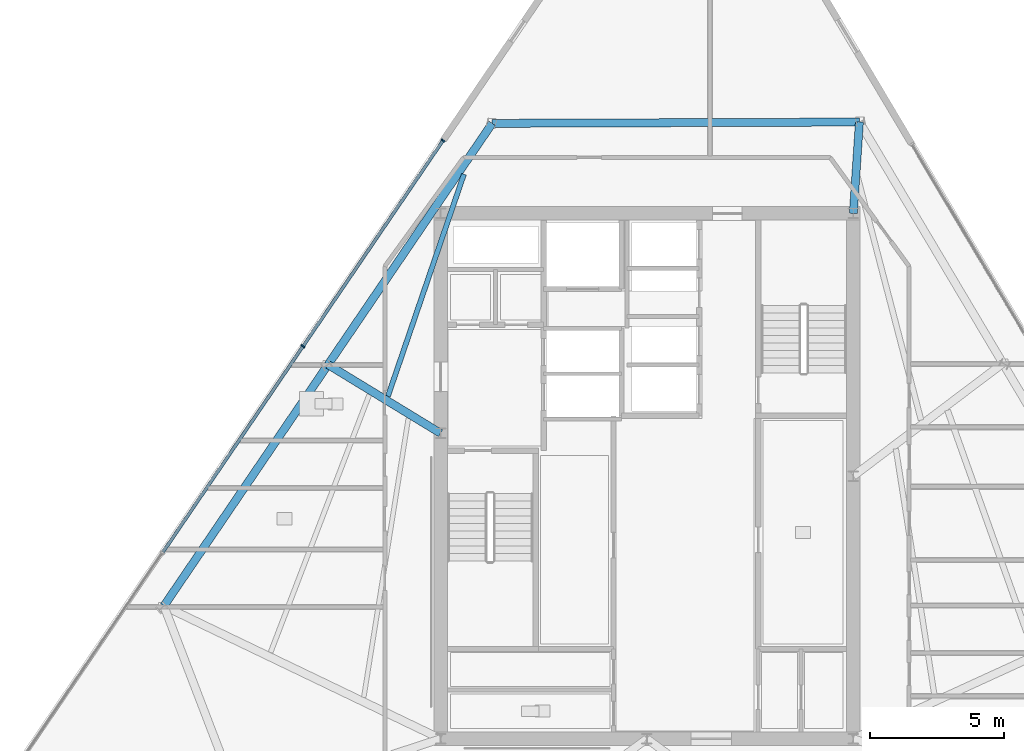
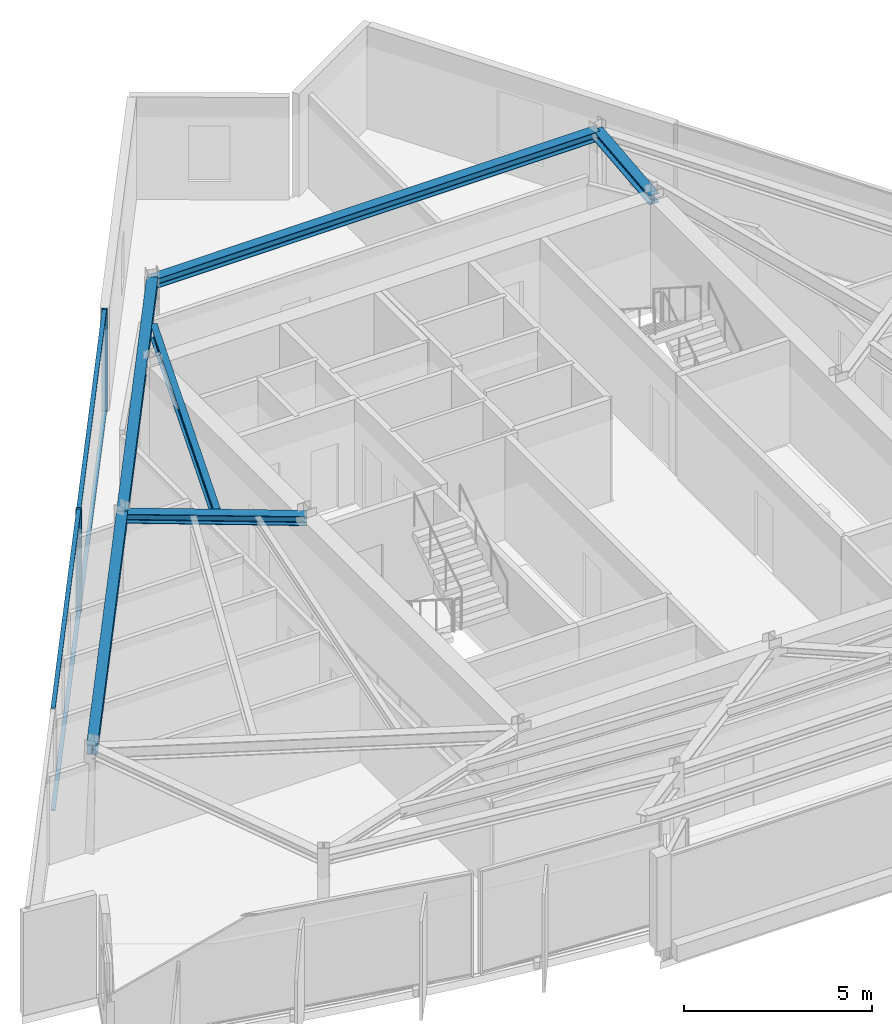
# One storey, part 4 of 13: 6 beams, 6 members, 1 element without a shape of its own.
"""IFC4 building model written with IfcOpenShell, lengths in metres."""

from ifc_helpers import new_model, si_unit, direction, frame, origin, origin_2d, place, context, subcontext, project, spatial, rectangle, i_section, extrude, material, material_profile, profile_set, type_object, element, aggregate, save


model = new_model("IFC4")

# Units and contexts
model_context = context("Model", 3, precision=1e-05, world=origin(), true_north=direction((0.0, 1.0)))
body_context = subcontext(model_context, "Body", "Model", "MODEL_VIEW")
ifc_project = project(units=[si_unit("LENGTHUNIT", "METRE"), si_unit("AREAUNIT", "SQUARE_METRE"), si_unit("VOLUMEUNIT", "CUBIC_METRE"), si_unit("PLANEANGLEUNIT", "RADIAN"), si_unit("MASSUNIT", "GRAM", prefix="KILO")], contexts=[model_context])

# Site, building, storey
site_placement = place(None, origin())
site = spatial("IfcSite", under=ifc_project, at=site_placement, CompositionType="ELEMENT")
building_placement = place(site_placement, origin())
building = spatial("IfcBuilding", under=site, at=building_placement, Name="Savorim Split Tower", CompositionType="ELEMENT")
storey_placement = place(building_placement, frame((0.0, 0.0, 283.199951171875)))
storey = spatial("IfcBuildingStorey", under=building, at=storey_placement, Name="L75", CompositionType="ELEMENT", Elevation=283.199951171875)

# Beams
ifc_material_1 = material(Name="Steel S355", Category="steel")
ifc_material_profile_1 = material_profile(ifc_material_1, i_section(OverallWidth=0.18994140625, OverallDepth=0.449951171875, WebThickness=0.009521484375, FlangeThickness=0.0146484375, FilletRadius=0.02099609375, at=origin_2d()), Name="IPE 450")
ifc_profile_set_1 = profile_set([ifc_material_profile_1], Name="Steel S355")
beam_type_1 = type_object("IfcBeamType", Name="BM-JST-IPE450", PredefinedType="JOIST", material=ifc_profile_set_1)
beam_1_placement = place(storey_placement, frame((-6.826904296875, 11.66162109375, 3.125), z_axis=(-0.323972801328, -0.946066395133, 0.0), x_axis=(0.946066395133, -0.323972801328, 0.0)))
element("IfcBeam", 1, at=beam_1_placement, inside=storey, type_object=beam_type_1, Name="L75 Secondary Floor Joist JS-09", PredefinedType="JOIST", context=body_context, shape_type="SweptSolid", body=[
    extrude(i_section(OverallWidth=0.18994140625, OverallDepth=0.449951171875, WebThickness=0.009521484375, FlangeThickness=0.0146484375, FilletRadius=0.02099609375, at=origin_2d()), origin(), (0.0, 0.0, 1.0), 8.75439453125),
])
ifc_material_profile_2 = material_profile(ifc_material_1, i_section(OverallWidth=0.300048828125, OverallDepth=0.300048828125, WebThickness=0.010986328125, FlangeThickness=0.01904296875, FilletRadius=0.027099609375, at=origin_2d()), Name="HEB 300")
ifc_profile_set_2 = profile_set([ifc_material_profile_2], Name="Steel S355")
beam_type_2 = type_object("IfcBeamType", Name="BM-PRI-HEB300", PredefinedType="BEAM", material=ifc_profile_set_2)
beam_2_placement = place(storey_placement, frame((7.92724609375, 13.609375, 3.199951171875), z_axis=(-0.066519010524, -0.997785157857, 0.0), x_axis=(0.997785157857, -0.066519010524, 0.0)))
element("IfcBeam", 2, at=beam_2_placement, inside=storey, type_object=beam_type_2, Name="L75 Primary Floor Girder RG-07", PredefinedType="BEAM", context=body_context, shape_type="SweptSolid", body=[
    extrude(i_section(OverallWidth=0.300048828125, OverallDepth=0.300048828125, WebThickness=0.010986328125, FlangeThickness=0.01904296875, FilletRadius=0.027099609375, at=origin_2d()), origin(), (0.0, 0.0, 1.0), 3.4169921875),
])
beam_3_placement = place(storey_placement, frame((-11.8974609375, 4.558349609375, 3.199951171875), z_axis=(0.853896309113, -0.52044317008, 0.0), x_axis=(0.52044317008, 0.853896309113, 0.0)))
element("IfcBeam", 3, at=beam_3_placement, inside=storey, type_object=beam_type_2, Name="L75 Primary Floor Girder RG-09", PredefinedType="BEAM", context=body_context, shape_type="SweptSolid", body=[
    extrude(i_section(OverallWidth=0.300048828125, OverallDepth=0.300048828125, WebThickness=0.010986328125, FlangeThickness=0.01904296875, FilletRadius=0.027099609375, at=origin_2d()), origin(), (0.0, 0.0, 1.0), 4.915771484375),
])
ifc_material_profile_3 = material_profile(ifc_material_1, i_section(OverallWidth=0.300048828125, OverallDepth=0.31005859375, WebThickness=0.009033203125, FlangeThickness=0.015380859375, FilletRadius=0.027099609375, at=origin_2d()), Name="HEA 320")
ifc_profile_set_3 = profile_set([ifc_material_profile_3], Name="Steel S355")
beam_type_3 = type_object("IfcBeamType", Name="BM-SPN-HEA320", PredefinedType="SPANDREL", material=ifc_profile_set_3)
beam_4_placement = place(storey_placement, frame((7.92724609375, 13.609375, 3.195068359375), z_axis=(-0.999993649302, -0.003563896252, 0.0), x_axis=(0.003563896252, -0.999993649302, 0.0)))
element("IfcBeam", 4, at=beam_4_placement, inside=storey, type_object=beam_type_3, Name="L75 Perimeter Spandrel Beam 7", PredefinedType="SPANDREL", context=body_context, shape_type="SweptSolid", body=[
    extrude(i_section(OverallWidth=0.300048828125, OverallDepth=0.31005859375, WebThickness=0.009033203125, FlangeThickness=0.015380859375, FilletRadius=0.027099609375, at=origin_2d()), origin(), (0.0, 0.0, 1.0), 13.70068359375),
])
beam_5_placement = place(storey_placement, frame((-5.7734375, 13.560546875, 3.195068359375), z_axis=(-0.562468863977, -0.826818466809, 0.0), x_axis=(0.826818466809, -0.562468863977, 0.0)))
element("IfcBeam", 5, at=beam_5_placement, inside=storey, type_object=beam_type_3, Name="L75 Perimeter Spandrel Beam 8", PredefinedType="SPANDREL", context=body_context, shape_type="SweptSolid", body=[
    extrude(i_section(OverallWidth=0.300048828125, OverallDepth=0.31005859375, WebThickness=0.009033203125, FlangeThickness=0.015380859375, FilletRadius=0.027099609375, at=origin_2d()), origin(), (0.0, 0.0, 1.0), 10.8876953125),
])
beam_6_placement = place(storey_placement, frame((-11.8974609375, 4.558349609375, 3.195068359375), z_axis=(-0.562458435902, -0.826825560734, 0.0), x_axis=(0.826825560734, -0.562458435902, 0.0)))
element("IfcBeam", 6, at=beam_6_placement, inside=storey, type_object=beam_type_3, Name="L75 Perimeter Spandrel Beam 9", PredefinedType="SPANDREL", context=body_context, shape_type="SweptSolid", body=[
    extrude(i_section(OverallWidth=0.300048828125, OverallDepth=0.31005859375, WebThickness=0.009033203125, FlangeThickness=0.015380859375, FilletRadius=0.027099609375, at=origin_2d()), origin(), (0.0, 0.0, 1.0), 10.887939453125),
])

# Curtain wall, members
ifc_material_2 = material(Name="Dark Ceramic-Fritted Insulated Glass", Category="glass")
curtain_wall_type = type_object("IfcCurtainWallType", Name="CW-TWR-FRIT-B", PredefinedType="NOTDEFINED", material=ifc_material_2)
curtain_wall_placement = place(storey_placement, origin())
curtain_wall = element("IfcCurtainWall", 7, at=curtain_wall_placement, inside=storey, type_object=curtain_wall_type, Name="L75 Curtain Wall CW-L75-WEST", PredefinedType="NOTDEFINED")
ifc_material_3 = material(Name="Charcoal Anodised Aluminium", Category="aluminium")
ifc_material_profile_4 = material_profile(ifc_material_3, rectangle(XDim=0.159912109375, YDim=0.06005859375, at=origin_2d()), Name="ALU-M 160x60")
ifc_profile_set_4 = profile_set([ifc_material_profile_4], Name="Charcoal Anodised Aluminium")
member_type_1 = type_object("IfcMemberType", Name="CWM-160x60", PredefinedType="MULLION", material=ifc_profile_set_4)
member_1_placement = place(storey_placement, frame((-7.610107421875, 12.919677734375, 0.0), z_axis=(0.0, 0.0, 1.0), x_axis=(0.826817636776, -0.562470084107, 0.0)))
member_1 = element("IfcMember", 8, at=member_1_placement, type_object=member_type_1, Name="CW-03 mullion 1", PredefinedType="MULLION", context=body_context, shape_type="SweptSolid", body=[
    extrude(rectangle(XDim=0.159912109375, YDim=0.06005859375, at=origin_2d()), origin(), (0.0, 0.0, 1.0), 3.35009765625),
])
member_2_placement = place(storey_placement, frame((-12.831298828125, 5.24462890625, 0.0), z_axis=(0.0, 0.0, 1.0), x_axis=(0.826817636776, -0.562470084107, 0.0)))
member_2 = element("IfcMember", 9, at=member_2_placement, type_object=member_type_1, Name="CW-03 mullion 2", PredefinedType="MULLION", context=body_context, shape_type="SweptSolid", body=[
    extrude(rectangle(XDim=0.159912109375, YDim=0.06005859375, at=origin_2d()), origin(), (0.0, 0.0, 1.0), 3.35009765625),
])
ifc_material_profile_5 = material_profile(ifc_material_3, rectangle(XDim=0.1201171875, YDim=0.050048828125, at=origin_2d()), Name="ALU-T 120x50")
ifc_profile_set_5 = profile_set([ifc_material_profile_5], Name="Charcoal Anodised Aluminium")
member_type_2 = type_object("IfcMemberType", Name="CWT-120x50", PredefinedType="USERDEFINED", material=ifc_profile_set_5)
member_3_placement = place(storey_placement, frame((-7.626953125, 12.894775390625, 0.025146484375), z_axis=(-0.562483063677, -0.826808806845, 0.0), x_axis=(0.826808806845, -0.562483063677, 0.0)))
member_3 = element("IfcMember", 10, at=member_3_placement, type_object=member_type_2, Name="CW-03 transom 1.1", ObjectType="TRANSOM", PredefinedType="USERDEFINED", context=body_context, shape_type="SweptSolid", body=[
    extrude(rectangle(XDim=0.1201171875, YDim=0.050048828125, at=origin_2d()), origin(), (0.0, 0.0, 1.0), 9.222412109375),
])
member_4_placement = place(storey_placement, frame((-7.626953125, 12.894775390625, 3.324951171875), z_axis=(-0.562483063677, -0.826808806845, 0.0), x_axis=(0.826808806845, -0.562483063677, 0.0)))
member_4 = element("IfcMember", 11, at=member_4_placement, type_object=member_type_2, Name="CW-03 transom 1.2", ObjectType="TRANSOM", PredefinedType="USERDEFINED", context=body_context, shape_type="SweptSolid", body=[
    extrude(rectangle(XDim=0.1201171875, YDim=0.050048828125, at=origin_2d()), origin(), (0.0, 0.0, 1.0), 9.222412109375),
])
member_5_placement = place(storey_placement, frame((-12.84814453125, 5.219970703125, 0.025146484375), z_axis=(-0.562463735755, -0.826821955417, 0.0), x_axis=(0.826821955417, -0.562463735755, 0.0)))
member_5 = element("IfcMember", 12, at=member_5_placement, type_object=member_type_2, Name="CW-03 transom 2.1", ObjectType="TRANSOM", PredefinedType="USERDEFINED", context=body_context, shape_type="SweptSolid", body=[
    extrude(rectangle(XDim=0.1201171875, YDim=0.050048828125, at=origin_2d()), origin(), (0.0, 0.0, 1.0), 9.252685546875),
])
member_6_placement = place(storey_placement, frame((-12.84814453125, 5.219970703125, 3.324951171875), z_axis=(-0.562463735755, -0.826821955417, 0.0), x_axis=(0.826821955417, -0.562463735755, 0.0)))
member_6 = element("IfcMember", 13, at=member_6_placement, type_object=member_type_2, Name="CW-03 transom 2.2", ObjectType="TRANSOM", PredefinedType="USERDEFINED", context=body_context, shape_type="SweptSolid", body=[
    extrude(rectangle(XDim=0.1201171875, YDim=0.050048828125, at=origin_2d()), origin(), (0.0, 0.0, 1.0), 9.252685546875),
])
aggregate(curtain_wall, [member_1, member_2, member_3, member_4, member_5, member_6])

save(model, "model.ifc")
